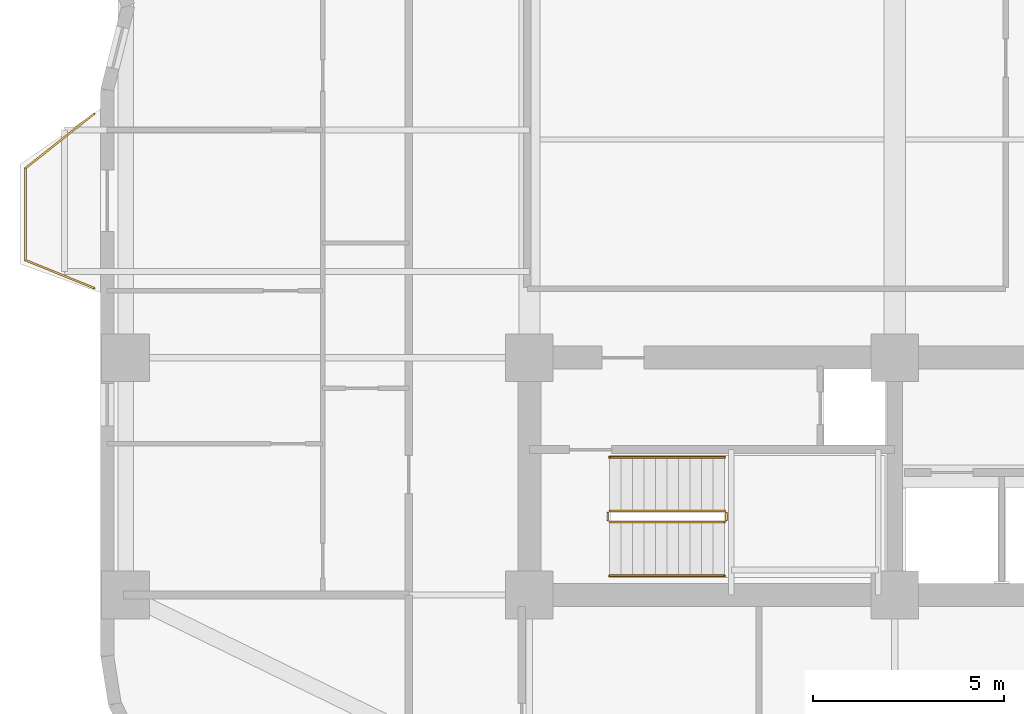
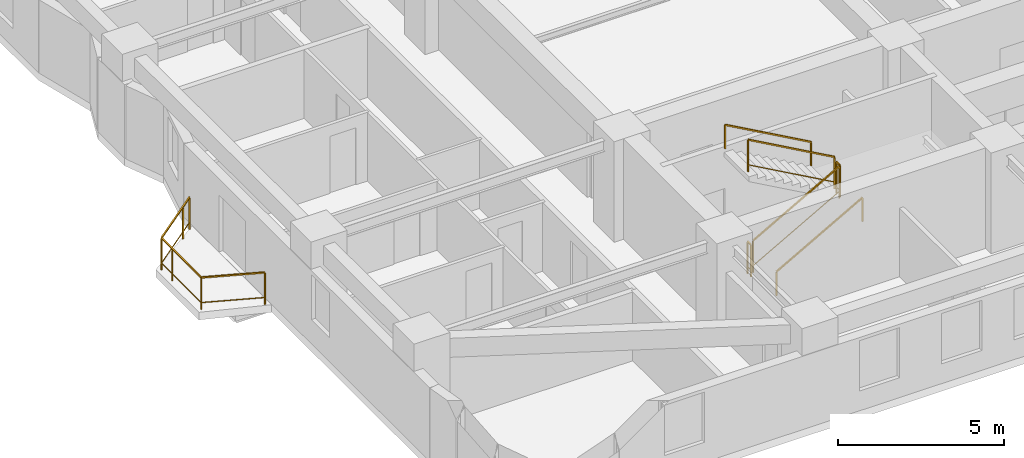
# One storey, part 8 of 9: 7 railings.
"""IFC4 building model written with IfcOpenShell, lengths in metres."""

from ifc_helpers import new_model, si_unit, direction, frame, origin, origin_2d, place, context, subcontext, project, spatial, rectangle, extrude, material, type_object, element, save


model = new_model("IFC4")

# Units and contexts
model_context = context("Model", 3, precision=1e-05, world=origin(), true_north=direction((0.0, 1.0)))
body_context = subcontext(model_context, "Body", "Model", "MODEL_VIEW")
ifc_project = project(units=[si_unit("LENGTHUNIT", "METRE"), si_unit("AREAUNIT", "SQUARE_METRE"), si_unit("VOLUMEUNIT", "CUBIC_METRE"), si_unit("PLANEANGLEUNIT", "RADIAN"), si_unit("MASSUNIT", "GRAM", prefix="KILO")], contexts=[model_context])

# Site, building, storey
site_placement = place(None, origin())
site = spatial("IfcSite", under=ifc_project, at=site_placement, CompositionType="ELEMENT")
building_placement = place(site_placement, origin())
building = spatial("IfcBuilding", under=site, at=building_placement, Name="Svetorya Sky Lyceum", CompositionType="ELEMENT")
storey_placement = place(building_placement, frame((0.0, 0.0, 32.5)))
storey = spatial("IfcBuildingStorey", under=building, at=storey_placement, Name="L07", CompositionType="ELEMENT", Elevation=32.5)

# Railings
ifc_material_1 = material(Name="Laminated safety glass and stainless AISI 316", Category="glass")
railing_type_1 = type_object("IfcRailingType", Name="RL-BAL-1200", PredefinedType="BALUSTRADE", material=ifc_material_1)
railing_1_placement = place(storey_placement, frame((14.22998046875, 18.6201171875, 0.0)))
element("IfcRailing", 1, at=railing_1_placement, inside=storey, type_object=railing_type_1, Name="L07 Balcony Balustrade BAL-W1", PredefinedType="BALUSTRADE", context=body_context, shape_type="SweptSolid", body=[
    extrude(rectangle(XDim=0.048095703125, YDim=0.048095703125, at=origin_2d()), frame((0.0, 0.0, 1.17578125), z_axis=(-0.926697865975, 0.375807218129, 0.0), x_axis=(-0.375807218129, -0.926697865975, 0.0)), (0.0, 0.0, 1.0), 1.9423828125),
    extrude(rectangle(XDim=0.02392578125, YDim=0.02392578125, at=origin_2d()), frame((0.0, 0.0, 0.25), z_axis=(-0.926697865975, 0.375807218129, 0.0), x_axis=(-0.375807218129, -0.926697865975, 0.0)), (0.0, 0.0, 1.0), 1.9423828125),
    extrude(rectangle(XDim=0.048095703125, YDim=0.048095703125, at=origin_2d()), frame((-1.800048828125, 0.72998046875, 1.17578125), z_axis=(0.0, 1.0, 0.0), x_axis=(-1.0, 0.0, 0.0)), (0.0, 0.0, 1.0), 2.39990234375),
    extrude(rectangle(XDim=0.02392578125, YDim=0.02392578125, at=origin_2d()), frame((-1.800048828125, 0.72998046875, 0.25), z_axis=(0.0, 1.0, 0.0), x_axis=(-1.0, 0.0, 0.0)), (0.0, 0.0, 1.0), 2.39990234375),
    extrude(rectangle(XDim=0.048095703125, YDim=0.048095703125, at=origin_2d()), frame((-1.800048828125, 3.1298828125, 1.17578125), z_axis=(0.783008919264, 0.622010476079, 0.0), x_axis=(-0.622010476079, 0.783008919264, 0.0)), (0.0, 0.0, 1.0), 2.298828125),
    extrude(rectangle(XDim=0.02392578125, YDim=0.02392578125, at=origin_2d()), frame((-1.800048828125, 3.1298828125, 0.25), z_axis=(0.783008919264, 0.622010476079, 0.0), x_axis=(-0.622010476079, 0.783008919264, 0.0)), (0.0, 0.0, 1.0), 2.298828125),
    extrude(rectangle(XDim=0.0419921875, YDim=0.0419921875, at=origin_2d()), origin(), (0.0, 0.0, 1.0), 1.15185546875),
    extrude(rectangle(XDim=0.0419921875, YDim=0.0419921875, at=origin_2d()), frame((-1.800048828125, 0.72998046875, 0.0)), (0.0, 0.0, 1.0), 1.15185546875),
    extrude(rectangle(XDim=0.0419921875, YDim=0.0419921875, at=origin_2d()), frame((-1.800048828125, 2.47998046875, 0.0)), (0.0, 0.0, 1.0), 1.15185546875),
    extrude(rectangle(XDim=0.0419921875, YDim=0.0419921875, at=origin_2d()), frame((-1.800048828125, 3.1298828125, 0.0)), (0.0, 0.0, 1.0), 1.15185546875),
    extrude(rectangle(XDim=0.0419921875, YDim=0.0419921875, at=origin_2d()), frame((-0.4296875, 4.218505859375, 0.0)), (0.0, 0.0, 1.0), 1.15185546875),
    extrude(rectangle(XDim=0.0419921875, YDim=0.0419921875, at=origin_2d()), frame((0.0, 4.559814453125, 0.0)), (0.0, 0.0, 1.0), 1.15185546875),
])
ifc_material_2 = material(Name="Painted galvanized stair well guard")
railing_type_2 = type_object("IfcRailingType", Name="RL-STR-GUARD-1200", PredefinedType="GUARDRAIL", material=ifc_material_2)
railing_2_placement = place(storey_placement, frame((27.699951171875, 12.5, 0.168212890625)))
element("IfcRailing", 2, at=railing_2_placement, inside=storey, type_object=railing_type_2, Name="L07 ST-S stair guard 1", PredefinedType="GUARDRAIL", context=body_context, shape_type="SweptSolid", body=[
    extrude(rectangle(XDim=0.048095703125, YDim=0.048095703125, at=origin_2d()), frame((0.0, 0.0, 1.17578125), z_axis=(0.872272294576, 0.0, 0.489020494575), x_axis=(0.0, 1.0, 0.0)), (0.0, 0.0, 1.0), 3.439208984375),
    extrude(rectangle(XDim=0.02392578125, YDim=0.02392578125, at=origin_2d()), frame((0.0, 0.0, 0.25), z_axis=(0.872272294576, 0.0, 0.489020494575), x_axis=(0.0, 1.0, 0.0)), (0.0, 0.0, 1.0), 3.439208984375),
    extrude(rectangle(XDim=0.0419921875, YDim=0.0419921875, at=origin_2d()), origin(), (0.0, 0.0, 1.0), 1.15185546875),
    extrude(rectangle(XDim=0.0419921875, YDim=0.0419921875, at=origin_2d()), frame((3.0, 0.0, 1.681884765625)), (0.0, 0.0, 1.0), 1.15185546875),
])
railing_3_placement = place(storey_placement, frame((30.75, 12.550048828125, 1.85009765625)))
element("IfcRailing", 3, at=railing_3_placement, inside=storey, type_object=railing_type_2, Name="L07 ST-S stair guard 2", PredefinedType="GUARDRAIL", context=body_context, shape_type="SweptSolid", body=[
    extrude(rectangle(XDim=0.048095703125, YDim=0.048095703125, at=origin_2d()), frame((0.0, 0.0, 1.17578125), z_axis=(0.0, 1.0, 0.0), x_axis=(-1.0, 0.0, 0.0)), (0.0, 0.0, 1.0), 0.199951171875),
    extrude(rectangle(XDim=0.02392578125, YDim=0.02392578125, at=origin_2d()), frame((0.0, 0.0, 0.25), z_axis=(0.0, 1.0, 0.0), x_axis=(-1.0, 0.0, 0.0)), (0.0, 0.0, 1.0), 0.199951171875),
    extrude(rectangle(XDim=0.0419921875, YDim=0.0419921875, at=origin_2d()), origin(), (0.0, 0.0, 1.0), 1.15185546875),
    extrude(rectangle(XDim=0.0419921875, YDim=0.0419921875, at=origin_2d()), frame((0.0, 0.199951171875, 0.0)), (0.0, 0.0, 1.0), 1.15185546875),
])
railing_4_placement = place(storey_placement, frame((30.699951171875, 12.800048828125, 2.01806640625)))
element("IfcRailing", 4, at=railing_4_placement, inside=storey, type_object=railing_type_2, Name="L07 ST-S stair guard 3", PredefinedType="GUARDRAIL", context=body_context, shape_type="SweptSolid", body=[
    extrude(rectangle(XDim=0.048095703125, YDim=0.048095703125, at=origin_2d()), frame((0.0, 0.0, 1.17578125), z_axis=(-0.872272294576, 0.0, 0.489020494575), x_axis=(0.0, -1.0, 0.0)), (0.0, 0.0, 1.0), 3.439208984375),
    extrude(rectangle(XDim=0.02392578125, YDim=0.02392578125, at=origin_2d()), frame((0.0, 0.0, 0.25), z_axis=(-0.872272294576, 0.0, 0.489020494575), x_axis=(0.0, -1.0, 0.0)), (0.0, 0.0, 1.0), 3.439208984375),
    extrude(rectangle(XDim=0.0419921875, YDim=0.0419921875, at=origin_2d()), origin(), (0.0, 0.0, 1.0), 1.15185546875),
    extrude(rectangle(XDim=0.0419921875, YDim=0.0419921875, at=origin_2d()), frame((-3.0, 0.0, 1.681884765625)), (0.0, 0.0, 1.0), 1.15185546875),
])
railing_5_placement = place(storey_placement, frame((27.64990234375, 12.550048828125, 0.0)))
element("IfcRailing", 5, at=railing_5_placement, inside=storey, type_object=railing_type_2, Name="L07 ST-S stair guard 4", PredefinedType="GUARDRAIL", context=body_context, shape_type="SweptSolid", body=[
    extrude(rectangle(XDim=0.048095703125, YDim=0.048095703125, at=origin_2d()), frame((0.0, 0.0, 1.17578125), z_axis=(0.0, 1.0, 0.0), x_axis=(-1.0, 0.0, 0.0)), (0.0, 0.0, 1.0), 0.199951171875),
    extrude(rectangle(XDim=0.02392578125, YDim=0.02392578125, at=origin_2d()), frame((0.0, 0.0, 0.25), z_axis=(0.0, 1.0, 0.0), x_axis=(-1.0, 0.0, 0.0)), (0.0, 0.0, 1.0), 0.199951171875),
    extrude(rectangle(XDim=0.0419921875, YDim=0.0419921875, at=origin_2d()), origin(), (0.0, 0.0, 1.0), 1.15185546875),
    extrude(rectangle(XDim=0.0419921875, YDim=0.0419921875, at=origin_2d()), frame((0.0, 0.199951171875, 0.0)), (0.0, 0.0, 1.0), 1.15185546875),
])
ifc_material_3 = material(Name="Brushed stainless AISI 304 stair handrail")
railing_type_3 = type_object("IfcRailingType", Name="RL-STR-HAND-920", PredefinedType="HANDRAIL", material=ifc_material_3)
railing_6_placement = place(storey_placement, frame((27.699951171875, 11.10009765625, 0.168212890625)))
element("IfcRailing", 6, at=railing_6_placement, inside=storey, type_object=railing_type_3, Name="L07 ST-S stair handrail 1", PredefinedType="HANDRAIL", context=body_context, shape_type="SweptSolid", body=[
    extrude(rectangle(XDim=0.048095703125, YDim=0.048095703125, at=origin_2d()), frame((0.0, 0.0, 0.8759765625), z_axis=(0.872272294576, 0.0, 0.489020494575), x_axis=(0.0, 1.0, 0.0)), (0.0, 0.0, 1.0), 3.439208984375),
    extrude(rectangle(XDim=0.0419921875, YDim=0.0419921875, at=origin_2d()), origin(), (0.0, 0.0, 1.0), 0.851806640625),
    extrude(rectangle(XDim=0.0419921875, YDim=0.0419921875, at=origin_2d()), frame((3.0, 0.0, 1.681884765625)), (0.0, 0.0, 1.0), 0.851806640625),
])
railing_7_placement = place(storey_placement, frame((30.699951171875, 14.199951171875, 2.01806640625)))
element("IfcRailing", 7, at=railing_7_placement, inside=storey, type_object=railing_type_3, Name="L07 ST-S stair handrail 2", PredefinedType="HANDRAIL", context=body_context, shape_type="SweptSolid", body=[
    extrude(rectangle(XDim=0.048095703125, YDim=0.048095703125, at=origin_2d()), frame((0.0, 0.0, 0.8759765625), z_axis=(-0.872272294576, 0.0, 0.489020494575), x_axis=(0.0, -1.0, 0.0)), (0.0, 0.0, 1.0), 3.439208984375),
    extrude(rectangle(XDim=0.0419921875, YDim=0.0419921875, at=origin_2d()), origin(), (0.0, 0.0, 1.0), 0.851806640625),
    extrude(rectangle(XDim=0.0419921875, YDim=0.0419921875, at=origin_2d()), frame((-3.0, 0.0, 1.681884765625)), (0.0, 0.0, 1.0), 0.851806640625),
])

save(model, "model.ifc")
